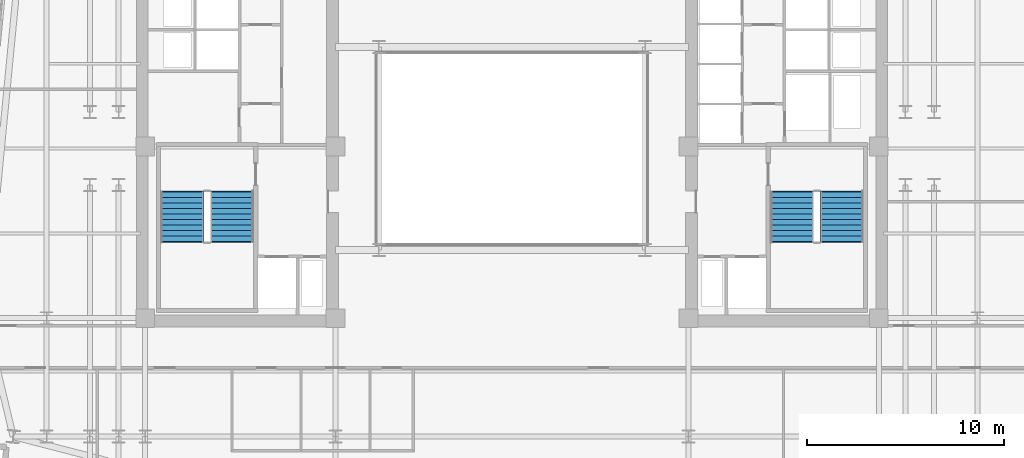
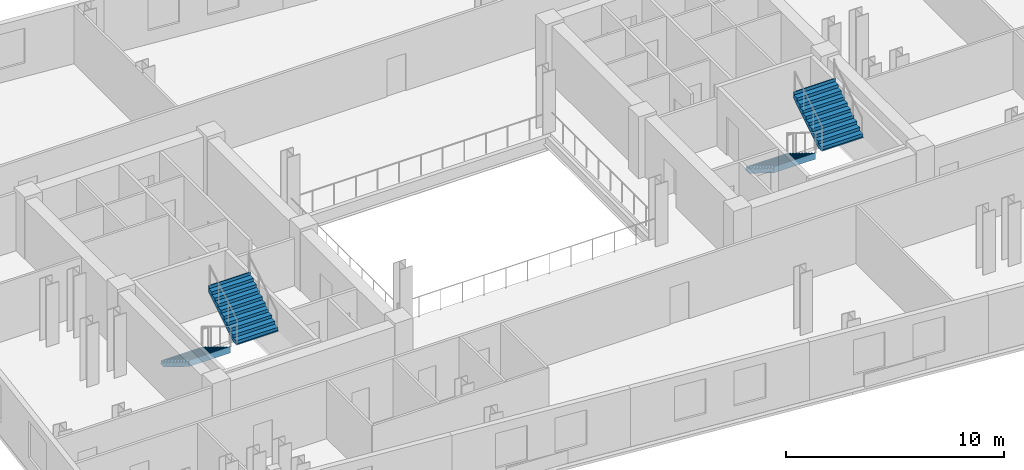
# One storey, part 7 of 9: 4 stair flights, 2 elements without a shape of their own.
"""IFC4 building model written with IfcOpenShell, lengths in metres."""

from ifc_helpers import new_model, si_unit, direction, frame, origin, place, context, subcontext, project, spatial, polyline, outline, extrude, material, layer, layer_set, type_object, element, aggregate, save


model = new_model("IFC4")

# Units and contexts
model_context = context("Model", 3, precision=1e-05, world=origin(), true_north=direction((0.0, 1.0)))
body_context = subcontext(model_context, "Body", "Model", "MODEL_VIEW")
ifc_project = project(units=[si_unit("LENGTHUNIT", "METRE"), si_unit("AREAUNIT", "SQUARE_METRE"), si_unit("VOLUMEUNIT", "CUBIC_METRE"), si_unit("PLANEANGLEUNIT", "RADIAN"), si_unit("MASSUNIT", "GRAM", prefix="KILO")], contexts=[model_context])

# Site, building, storey
site_placement = place(None, origin())
site = spatial("IfcSite", under=ifc_project, at=site_placement, CompositionType="ELEMENT")
building_placement = place(site_placement, origin())
building = spatial("IfcBuilding", under=site, at=building_placement, Name="Velakula Bourse", CompositionType="ELEMENT")
storey_placement = place(building_placement, frame((0.0, 0.0, 167.300048828125)))
storey = spatial("IfcBuildingStorey", under=building, at=storey_placement, Name="L45", CompositionType="ELEMENT", Elevation=167.300048828125)

# Stair, stair flights
ifc_material = material(Name="Concrete M45 (fck 45 MPa)", Category="concrete")
stair_type = type_object("IfcStairType", Name="STR-DOG-390", PredefinedType="HALF_TURN_STAIR", material=ifc_material)
stair_1_placement = place(storey_placement, origin())
stair_1 = element("IfcStair", 1, at=stair_1_placement, inside=storey, type_object=stair_type, Name="L45 West Core Exit Stair ST-W1", PredefinedType="HALF_TURN_STAIR")
ifc_layer = layer(ifc_material, 0.195068359375, Name="Concrete M45 (fck 45 MPa)", Category="concrete")
ifc_layer_set = layer_set([ifc_layer], Name="Concrete M45 (fck 45 MPa)")
stair_flight_type = type_object("IfcStairFlightType", Name="FLT-DOG-390", PredefinedType="STRAIGHT", material=ifc_layer_set)
stair_flight_1_placement = place(storey_placement, frame((-16.720947265625, -2.199951171875, 0.0), z_axis=(0.0, 0.0, 1.0), x_axis=(0.0, -1.0, 0.0)))
stair_flight_1 = element("IfcStairFlight", 2, at=stair_flight_1_placement, type_object=stair_flight_type, Name="ST-W1 flight 1", NumberOfRisers=10, NumberOfTreads=9, PredefinedType="STRAIGHT", RiserHeight=0.1725, TreadLength=0.28, context=body_context, shape_type="SweptSolid", body=[
    extrude(outline(polyline([(-0.044921875, -0.0400390625), (-0.044921875, -0.036865234375), (-0.044921875, -0.033935546875), (-0.044921875, -0.03076171875), (-0.044921875, -0.027587890625), (-0.044921875, -0.024658203125), (-0.044921875, -0.021484375), (-0.044921875, -0.0185546875), (-0.044921875, -0.015380859375), (-0.044921875, -0.01220703125), (-0.044921875, -0.00927734375), (-0.044921875, -0.006103515625), (-0.044921875, -0.003173828125), (-0.044921875, 0.0), (0.0, 0.0), (0.0, 0.172607421875), (0.280029296875, 0.172607421875), (0.280029296875, 0.344970703125), (0.56005859375, 0.344970703125), (0.56005859375, 0.517578125), (0.840087890625, 0.517578125), (0.840087890625, 0.68994140625), (1.1201171875, 0.68994140625), (1.1201171875, 0.862548828125), (1.39990234375, 0.862548828125), (1.39990234375, 1.034912109375), (1.679931640625, 1.034912109375), (1.679931640625, 1.20751953125), (1.9599609375, 1.20751953125), (1.9599609375, 1.3798828125), (2.239990234375, 1.3798828125), (2.239990234375, 1.552490234375), (2.52001953125, 1.552490234375), (2.52001953125, 1.72509765625), (2.56494140625, 1.72509765625), (2.56494140625, 1.7001953125), (2.56494140625, 1.67529296875), (2.56494140625, 1.650390625), (2.56494140625, 1.62548828125), (2.56494140625, 1.6005859375), (2.56494140625, 1.57568359375), (2.56494140625, 1.55078125), (2.56494140625, 1.52587890625), (2.56494140625, 1.5009765625), (2.56494140625, 1.47607421875), (2.56494140625, 1.451171875), (2.56494140625, 1.42626953125), (2.56494140625, 1.4013671875), (2.56494140625, 1.37646484375), (0.285888671875, -0.0400390625), (-0.044921875, -0.0400390625)])), frame((0.0, 1.09912109375, 0.0), z_axis=(0.0, -1.0, 0.0), x_axis=(1.0, 0.0, 0.0)), (0.0, 0.0, 1.0), 2.197998046875),
])
stair_flight_2_placement = place(storey_placement, frame((-14.198974609375, -4.719970703125, 1.724853515625), z_axis=(0.0, 0.0, 1.0), x_axis=(0.0, 1.0, 0.0)))
stair_flight_2 = element("IfcStairFlight", 3, at=stair_flight_2_placement, type_object=stair_flight_type, Name="ST-W1 flight 2", NumberOfRisers=10, NumberOfTreads=9, PredefinedType="STRAIGHT", RiserHeight=0.1725, TreadLength=0.28, context=body_context, shape_type="SweptSolid", body=[
    extrude(outline(polyline([(-0.044921875, -0.0400390625), (-0.044921875, -0.036865234375), (-0.044921875, -0.033935546875), (-0.044921875, -0.03076171875), (-0.044921875, -0.027587890625), (-0.044921875, -0.024658203125), (-0.044921875, -0.021484375), (-0.044921875, -0.0185546875), (-0.044921875, -0.015380859375), (-0.044921875, -0.01220703125), (-0.044921875, -0.00927734375), (-0.044921875, -0.006103515625), (-0.044921875, -0.003173828125), (-0.044921875, 0.0), (0.0, 0.0), (0.0, 0.172607421875), (0.280029296875, 0.172607421875), (0.280029296875, 0.344970703125), (0.56005859375, 0.344970703125), (0.56005859375, 0.517578125), (0.840087890625, 0.517578125), (0.840087890625, 0.68994140625), (1.1201171875, 0.68994140625), (1.1201171875, 0.862548828125), (1.39990234375, 0.862548828125), (1.39990234375, 1.034912109375), (1.679931640625, 1.034912109375), (1.679931640625, 1.20751953125), (1.9599609375, 1.20751953125), (1.9599609375, 1.3798828125), (2.239990234375, 1.3798828125), (2.239990234375, 1.552490234375), (2.52001953125, 1.552490234375), (2.52001953125, 1.72509765625), (2.56494140625, 1.72509765625), (2.56494140625, 1.7001953125), (2.56494140625, 1.67529296875), (2.56494140625, 1.650390625), (2.56494140625, 1.62548828125), (2.56494140625, 1.6005859375), (2.56494140625, 1.57568359375), (2.56494140625, 1.55078125), (2.56494140625, 1.52587890625), (2.56494140625, 1.5009765625), (2.56494140625, 1.47607421875), (2.56494140625, 1.451171875), (2.56494140625, 1.42626953125), (2.56494140625, 1.4013671875), (2.56494140625, 1.37646484375), (0.285888671875, -0.0400390625), (-0.044921875, -0.0400390625)])), frame((0.0, 1.09912109375, 0.0), z_axis=(0.0, -1.0, 0.0), x_axis=(1.0, 0.0, 0.0)), (0.0, 0.0, 1.0), 2.197998046875),
])
aggregate(stair_1, [stair_flight_1, stair_flight_2])

stair_2_placement = place(storey_placement, origin())
stair_2 = element("IfcStair", 4, at=stair_2_placement, inside=storey, type_object=stair_type, Name="L45 East Core Exit Stair ST-E1", PredefinedType="HALF_TURN_STAIR")
stair_flight_3_placement = place(storey_placement, frame((14.198974609375, -2.199951171875, 0.0), z_axis=(0.0, 0.0, 1.0), x_axis=(0.0, -1.0, 0.0)))
stair_flight_3 = element("IfcStairFlight", 5, at=stair_flight_3_placement, type_object=stair_flight_type, Name="ST-E1 flight 1", NumberOfRisers=10, NumberOfTreads=9, PredefinedType="STRAIGHT", RiserHeight=0.1725, TreadLength=0.28, context=body_context, shape_type="SweptSolid", body=[
    extrude(outline(polyline([(-0.044921875, -0.0400390625), (-0.044921875, -0.036865234375), (-0.044921875, -0.033935546875), (-0.044921875, -0.03076171875), (-0.044921875, -0.027587890625), (-0.044921875, -0.024658203125), (-0.044921875, -0.021484375), (-0.044921875, -0.0185546875), (-0.044921875, -0.015380859375), (-0.044921875, -0.01220703125), (-0.044921875, -0.00927734375), (-0.044921875, -0.006103515625), (-0.044921875, -0.003173828125), (-0.044921875, 0.0), (0.0, 0.0), (0.0, 0.172607421875), (0.280029296875, 0.172607421875), (0.280029296875, 0.344970703125), (0.56005859375, 0.344970703125), (0.56005859375, 0.517578125), (0.840087890625, 0.517578125), (0.840087890625, 0.68994140625), (1.1201171875, 0.68994140625), (1.1201171875, 0.862548828125), (1.39990234375, 0.862548828125), (1.39990234375, 1.034912109375), (1.679931640625, 1.034912109375), (1.679931640625, 1.20751953125), (1.9599609375, 1.20751953125), (1.9599609375, 1.3798828125), (2.239990234375, 1.3798828125), (2.239990234375, 1.552490234375), (2.52001953125, 1.552490234375), (2.52001953125, 1.72509765625), (2.56494140625, 1.72509765625), (2.56494140625, 1.7001953125), (2.56494140625, 1.67529296875), (2.56494140625, 1.650390625), (2.56494140625, 1.62548828125), (2.56494140625, 1.6005859375), (2.56494140625, 1.57568359375), (2.56494140625, 1.55078125), (2.56494140625, 1.52587890625), (2.56494140625, 1.5009765625), (2.56494140625, 1.47607421875), (2.56494140625, 1.451171875), (2.56494140625, 1.42626953125), (2.56494140625, 1.4013671875), (2.56494140625, 1.37646484375), (0.285888671875, -0.0400390625), (-0.044921875, -0.0400390625)])), frame((0.0, 1.09912109375, 0.0), z_axis=(0.0, -1.0, 0.0), x_axis=(1.0, 0.0, 0.0)), (0.0, 0.0, 1.0), 2.197998046875),
])
stair_flight_4_placement = place(storey_placement, frame((16.720947265625, -4.719970703125, 1.724853515625), z_axis=(0.0, 0.0, 1.0), x_axis=(0.0, 1.0, 0.0)))
stair_flight_4 = element("IfcStairFlight", 6, at=stair_flight_4_placement, type_object=stair_flight_type, Name="ST-E1 flight 2", NumberOfRisers=10, NumberOfTreads=9, PredefinedType="STRAIGHT", RiserHeight=0.1725, TreadLength=0.28, context=body_context, shape_type="SweptSolid", body=[
    extrude(outline(polyline([(-0.044921875, -0.0400390625), (-0.044921875, -0.036865234375), (-0.044921875, -0.033935546875), (-0.044921875, -0.03076171875), (-0.044921875, -0.027587890625), (-0.044921875, -0.024658203125), (-0.044921875, -0.021484375), (-0.044921875, -0.0185546875), (-0.044921875, -0.015380859375), (-0.044921875, -0.01220703125), (-0.044921875, -0.00927734375), (-0.044921875, -0.006103515625), (-0.044921875, -0.003173828125), (-0.044921875, 0.0), (0.0, 0.0), (0.0, 0.172607421875), (0.280029296875, 0.172607421875), (0.280029296875, 0.344970703125), (0.56005859375, 0.344970703125), (0.56005859375, 0.517578125), (0.840087890625, 0.517578125), (0.840087890625, 0.68994140625), (1.1201171875, 0.68994140625), (1.1201171875, 0.862548828125), (1.39990234375, 0.862548828125), (1.39990234375, 1.034912109375), (1.679931640625, 1.034912109375), (1.679931640625, 1.20751953125), (1.9599609375, 1.20751953125), (1.9599609375, 1.3798828125), (2.239990234375, 1.3798828125), (2.239990234375, 1.552490234375), (2.52001953125, 1.552490234375), (2.52001953125, 1.72509765625), (2.56494140625, 1.72509765625), (2.56494140625, 1.7001953125), (2.56494140625, 1.67529296875), (2.56494140625, 1.650390625), (2.56494140625, 1.62548828125), (2.56494140625, 1.6005859375), (2.56494140625, 1.57568359375), (2.56494140625, 1.55078125), (2.56494140625, 1.52587890625), (2.56494140625, 1.5009765625), (2.56494140625, 1.47607421875), (2.56494140625, 1.451171875), (2.56494140625, 1.42626953125), (2.56494140625, 1.4013671875), (2.56494140625, 1.37646484375), (0.285888671875, -0.0400390625), (-0.044921875, -0.0400390625)])), frame((0.0, 1.09912109375, 0.0), z_axis=(0.0, -1.0, 0.0), x_axis=(1.0, 0.0, 0.0)), (0.0, 0.0, 1.0), 2.197998046875),
])
aggregate(stair_2, [stair_flight_3, stair_flight_4])

save(model, "model.ifc")
